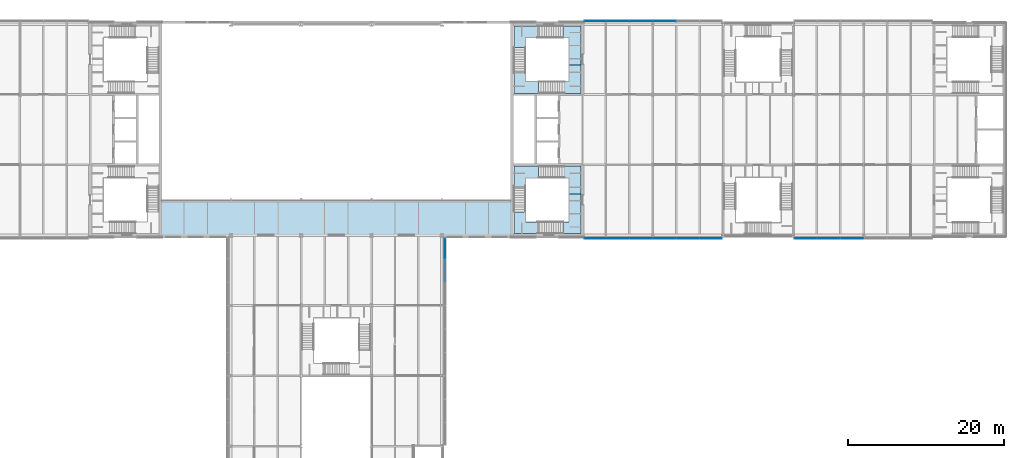
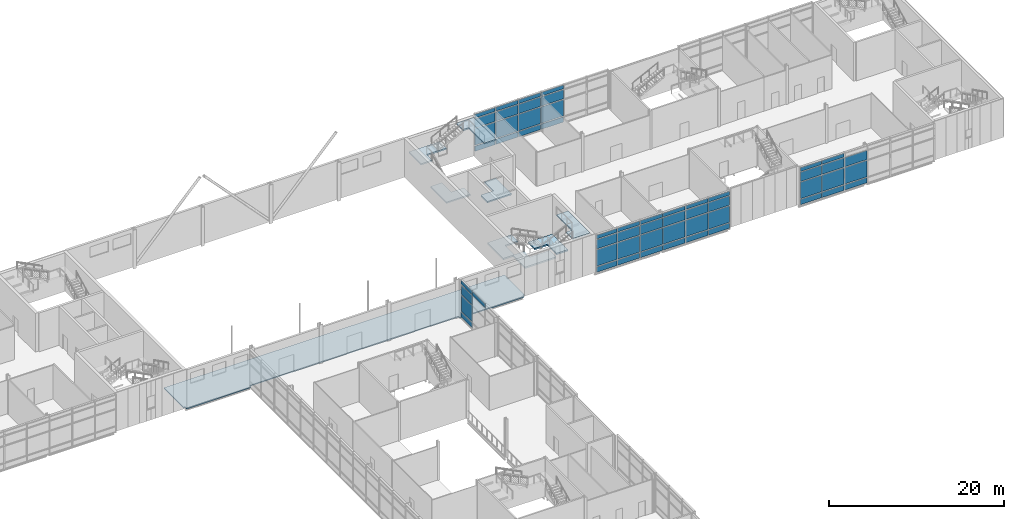
# One storey, part 34 of 56: 56 plates, 9 slabs, 6 elements without a shape of their own.
"""IFC4 building model written with IfcOpenShell, lengths in metres."""

from ifc_helpers import new_model, si_unit, direction, frame, origin, origin_2d, place, context, subcontext, project, spatial, polyline, rectangle, outline, extrude, material, layer, layer_set, type_object, element, aggregate, save


model = new_model("IFC4")

# Units and contexts
model_context = context("Model", 3, precision=1e-05, world=origin(), true_north=direction((0.0, 1.0)))
body_context = subcontext(model_context, "Body", "Model", "MODEL_VIEW")
ifc_project = project(units=[si_unit("LENGTHUNIT", "METRE"), si_unit("AREAUNIT", "SQUARE_METRE"), si_unit("VOLUMEUNIT", "CUBIC_METRE"), si_unit("PLANEANGLEUNIT", "RADIAN"), si_unit("MASSUNIT", "GRAM", prefix="KILO")], contexts=[model_context])

# Site, building, storey
site_placement = place(None, origin())
site = spatial("IfcSite", under=ifc_project, at=site_placement, CompositionType="ELEMENT")
building_placement = place(site_placement, origin())
building = spatial("IfcBuilding", under=site, at=building_placement, Name="Azimuth Sports and Learning Centre", CompositionType="ELEMENT")
storey_placement = place(building_placement, frame((0.0, 0.0, 5.39990234375)))
storey = spatial("IfcBuildingStorey", under=building, at=storey_placement, Name="L01", CompositionType="ELEMENT", Elevation=5.39990234375)

# Stair, slabs
ifc_material_1 = material(Name="Concrete C32/40", Category="concrete")
stair_type = type_object("IfcStairType", Name="Square-well stair core 5400 storey", PredefinedType="THREE_QUARTER_TURN_STAIR", material=ifc_material_1)
stair_1_placement = place(storey_placement, origin())
stair_1 = element("IfcStair", 1, at=stair_1_placement, inside=storey, type_object=stair_type, Name="Stair E1 L01-L02", PredefinedType="THREE_QUARTER_TURN_STAIR")
ifc_material_2 = material(Name="Concrete C32/40", Category="concrete")
ifc_layer_1 = layer(ifc_material_2, 0.199951171875)
ifc_layer_set_1 = layer_set([ifc_layer_1], Name="Concrete C32/40")
slab_type_1 = type_object("IfcSlabType", Name="Concrete stair landing", PredefinedType="LANDING", material=ifc_layer_set_1)
slab_1_placement = place(storey_placement, frame((0.0, 0.0, -0.199951171875)))
slab_1 = element("IfcSlab", 2, at=slab_1_placement, type_object=slab_type_1, Name="Stair E1 L01 landing 1", PredefinedType="LANDING", context=body_context, shape_type="SweptSolid", body=[
    extrude(outline(polyline([(113.590087890625, 97.340087890625), (115.2900390625, 97.340087890625), (115.2900390625, 95.25), (116.7900390625, 95.25), (116.7900390625, 98.840087890625), (113.590087890625, 98.840087890625), (113.590087890625, 97.340087890625)])), origin(), (0.0, 0.0, 1.0), 0.199951171875),
])
slab_2_placement = place(storey_placement, frame((0.0, 0.0, 1.60009765625)))
slab_2 = element("IfcSlab", 3, at=slab_2_placement, type_object=slab_type_1, Name="Stair E1 L01 landing 2", PredefinedType="LANDING", context=body_context, shape_type="SweptSolid", body=[
    extrude(outline(polyline([(109.7099609375, 97.340087890625), (111.390625, 97.340087890625), (111.390625, 98.840087890625), (108.2099609375, 98.840087890625), (108.2099609375, 95.18994140625), (109.7099609375, 95.18994140625), (109.7099609375, 97.340087890625)])), origin(), (0.0, 0.0, 1.0), 0.199951171875),
])
slab_3_placement = place(storey_placement, frame((0.0, 0.0, 3.400146484375)))
slab_3 = element("IfcSlab", 4, at=slab_3_placement, type_object=slab_type_1, Name="Stair E1 L01 landing 3", PredefinedType="LANDING", context=body_context, shape_type="SweptSolid", body=[
    extrude(outline(polyline([(109.7099609375, 91.7099609375), (109.7099609375, 92.99072265625), (108.2099609375, 92.99072265625), (108.2099609375, 90.2099609375), (112.31005859375, 90.2099609375), (112.31005859375, 91.7099609375), (109.7099609375, 91.7099609375)])), origin(), (0.0, 0.0, 1.0), 0.199951171875),
])
slab_4_placement = place(storey_placement, frame((0.0, 0.0, 5.2001953125)))
slab_4 = element("IfcSlab", 5, at=slab_4_placement, type_object=slab_type_1, Name="Stair E1 L01 landing 4", PredefinedType="LANDING", context=body_context, shape_type="SweptSolid", body=[
    extrude(outline(polyline([(115.2900390625, 91.7099609375), (114.50927734375, 91.7099609375), (114.50927734375, 90.2099609375), (116.7900390625, 90.2099609375), (116.7900390625, 95.25), (115.2900390625, 95.25), (115.2900390625, 91.7099609375)])), origin(), (0.0, 0.0, 1.0), 0.199951171875),
])
aggregate(stair_1, [slab_1, slab_2, slab_3, slab_4])

stair_2_placement = place(storey_placement, origin())
stair_2 = element("IfcStair", 6, at=stair_2_placement, inside=storey, type_object=stair_type, Name="Stair E2 L01-L02", PredefinedType="THREE_QUARTER_TURN_STAIR")
slab_5_placement = place(storey_placement, frame((0.0, 0.0, -0.199951171875)))
slab_5 = element("IfcSlab", 7, at=slab_5_placement, type_object=slab_type_1, Name="Stair E2 L01 landing 1", PredefinedType="LANDING", context=body_context, shape_type="SweptSolid", body=[
    extrude(outline(polyline([(116.7900390625, 108.159912109375), (116.7900390625, 111.75), (115.2900390625, 111.75), (115.2900390625, 109.659912109375), (113.590087890625, 109.659912109375), (113.590087890625, 108.159912109375), (116.7900390625, 108.159912109375)])), origin(), (0.0, 0.0, 1.0), 0.199951171875),
])
slab_6_placement = place(storey_placement, frame((0.0, 0.0, 1.60009765625)))
slab_6 = element("IfcSlab", 8, at=slab_6_placement, type_object=slab_type_1, Name="Stair E2 L01 landing 2", PredefinedType="LANDING", context=body_context, shape_type="SweptSolid", body=[
    extrude(outline(polyline([(109.7099609375, 109.659912109375), (109.7099609375, 111.81005859375), (108.2099609375, 111.81005859375), (108.2099609375, 108.159912109375), (111.390625, 108.159912109375), (111.390625, 109.659912109375), (109.7099609375, 109.659912109375)])), origin(), (0.0, 0.0, 1.0), 0.199951171875),
])
slab_7_placement = place(storey_placement, frame((0.0, 0.0, 3.400146484375)))
slab_7 = element("IfcSlab", 9, at=slab_7_placement, type_object=slab_type_1, Name="Stair E2 L01 landing 3", PredefinedType="LANDING", context=body_context, shape_type="SweptSolid", body=[
    extrude(outline(polyline([(109.7099609375, 115.2900390625), (112.31005859375, 115.2900390625), (112.31005859375, 116.7900390625), (108.2099609375, 116.7900390625), (108.2099609375, 114.00927734375), (109.7099609375, 114.00927734375), (109.7099609375, 115.2900390625)])), origin(), (0.0, 0.0, 1.0), 0.199951171875),
])
slab_8_placement = place(storey_placement, frame((0.0, 0.0, 5.2001953125)))
slab_8 = element("IfcSlab", 10, at=slab_8_placement, type_object=slab_type_1, Name="Stair E2 L01 landing 4", PredefinedType="LANDING", context=body_context, shape_type="SweptSolid", body=[
    extrude(outline(polyline([(115.2900390625, 115.2900390625), (115.2900390625, 111.75), (116.7900390625, 111.75), (116.7900390625, 116.7900390625), (114.50927734375, 116.7900390625), (114.50927734375, 115.2900390625), (115.2900390625, 115.2900390625)])), origin(), (0.0, 0.0, 1.0), 0.199951171875),
])
aggregate(stair_2, [slab_5, slab_6, slab_7, slab_8])

# Slab
ifc_material_3 = material(Name="Concrete C30/37", Category="concrete")
ifc_layer_2 = layer(ifc_material_3, 0.14990234375)
ifc_layer_set_2 = layer_set([ifc_layer_2], Name="Concrete C30/37")
slab_type_2 = type_object("IfcSlabType", Name="Gallery floor slab 150", PredefinedType="FLOOR", material=ifc_layer_set_2)
slab_9_placement = place(storey_placement, frame((0.0, 0.0, -0.14990234375)))
element("IfcSlab", 11, at=slab_9_placement, inside=storey, type_object=slab_type_2, Name="Slab GALLERY L01", PredefinedType="FLOOR", context=body_context, shape_type="SweptSolid", body=[
    extrude(outline(polyline([(63.199951171875, 89.699951171875), (71.699951171875, 89.699951171875), (71.699951171875, 90.0), (99.300048828125, 90.0), (99.300048828125, 89.699951171875), (107.800048828125, 89.699951171875), (107.800048828125, 90.0), (108.0, 90.0), (108.0, 94.5), (63.0, 94.5), (63.0, 90.0), (63.199951171875, 90.0), (63.199951171875, 89.699951171875)])), origin(), (0.0, 0.0, 1.0), 0.14990234375),
])

# Curtain wall, plates
ifc_material_4 = material(Name="Aluminium and glass", Category="aluminium")
curtain_wall_type_1 = type_object("IfcCurtainWallType", Name="Curtain wall podium stem 240", PredefinedType="NOTDEFINED", material=ifc_material_4)
curtain_wall_1_placement = place(storey_placement, origin())
curtain_wall_1 = element("IfcCurtainWall", 12, at=curtain_wall_1_placement, inside=storey, type_object=curtain_wall_type_1, Name="Curtain wall CW01-008", PredefinedType="NOTDEFINED")
ifc_material_5 = material(Name="Insulated aluminium panel", Category="aluminium")
ifc_layer_3 = layer(ifc_material_5, 0.06005859375)
ifc_layer_set_3 = layer_set([ifc_layer_3], Name="Insulated aluminium panel")
plate_type_1 = type_object("IfcPlateType", Name="Spandrel panel 60 mm", PredefinedType="CURTAIN_PANEL", material=ifc_layer_set_3)
plate_1_placement = place(storey_placement, frame((99.419921875, 85.5, 4.760009765625), z_axis=(0.0, 0.0, 1.0), x_axis=(0.0, 1.0, 0.0)))
plate_1 = element("IfcPlate", 13, at=plate_1_placement, type_object=plate_type_1, Name="CW01-008 panel 8.4", PredefinedType="CURTAIN_PANEL", context=body_context, shape_type="SweptSolid", body=[
    extrude(rectangle(XDim=2.919921875, YDim=0.06005859375, at=origin_2d()), origin(), (0.0, 0.0, 1.0), 0.52001953125),
])
plate_2_placement = place(storey_placement, frame((99.419921875, 88.284912109375, 0.1201171875), z_axis=(0.0, 0.0, 1.0), x_axis=(0.0, 1.0, 0.0)))
plate_2 = element("IfcPlate", 14, at=plate_2_placement, type_object=plate_type_1, Name="CW01-008 panel 9.1", PredefinedType="CURTAIN_PANEL", context=body_context, shape_type="SweptSolid", body=[
    extrude(rectangle(XDim=2.489990234375, YDim=0.06005859375, at=origin_2d()), origin(), (0.0, 0.0, 1.0), 0.719970703125),
])
plate_3_placement = place(storey_placement, frame((99.419921875, 88.284912109375, 4.760009765625), z_axis=(0.0, 0.0, 1.0), x_axis=(0.0, 1.0, 0.0)))
plate_3 = element("IfcPlate", 15, at=plate_3_placement, type_object=plate_type_1, Name="CW01-008 panel 9.4", PredefinedType="CURTAIN_PANEL", context=body_context, shape_type="SweptSolid", body=[
    extrude(rectangle(XDim=2.489990234375, YDim=0.06005859375, at=origin_2d()), origin(), (0.0, 0.0, 1.0), 0.52001953125),
])

ifc_material_6 = material(Name="Aluminium and glass", Category="aluminium")
curtain_wall_type_2 = type_object("IfcCurtainWallType", Name="Curtain wall podium wing 240", PredefinedType="NOTDEFINED", material=ifc_material_6)
curtain_wall_2_placement = place(storey_placement, origin())
curtain_wall_2 = element("IfcCurtainWall", 16, at=curtain_wall_2_placement, inside=storey, type_object=curtain_wall_type_2, Name="Curtain wall CW01-009", PredefinedType="NOTDEFINED")
plate_4_placement = place(storey_placement, frame((118.6201171875, 89.580078125, 0.1201171875), z_axis=(0.0, 0.0, 1.0), x_axis=(1.0, 0.0, 0.0)))
plate_4 = element("IfcPlate", 17, at=plate_4_placement, type_object=plate_type_1, Name="CW01-009 panel 1.1", PredefinedType="CURTAIN_PANEL", context=body_context, shape_type="SweptSolid", body=[
    extrude(rectangle(XDim=2.679931640625, YDim=0.06005859375, at=origin_2d()), origin(), (0.0, 0.0, 1.0), 0.719970703125),
])
plate_5_placement = place(storey_placement, frame((118.6201171875, 89.580078125, 4.760009765625), z_axis=(0.0, 0.0, 1.0), x_axis=(1.0, 0.0, 0.0)))
plate_5 = element("IfcPlate", 18, at=plate_5_placement, type_object=plate_type_1, Name="CW01-009 panel 1.4", PredefinedType="CURTAIN_PANEL", context=body_context, shape_type="SweptSolid", body=[
    extrude(rectangle(XDim=2.679931640625, YDim=0.06005859375, at=origin_2d()), origin(), (0.0, 0.0, 1.0), 0.52001953125),
])
plate_6_placement = place(storey_placement, frame((121.5, 89.580078125, 0.1201171875), z_axis=(0.0, 0.0, 1.0), x_axis=(1.0, 0.0, 0.0)))
plate_6 = element("IfcPlate", 19, at=plate_6_placement, type_object=plate_type_1, Name="CW01-009 panel 2.1", PredefinedType="CURTAIN_PANEL", context=body_context, shape_type="SweptSolid", body=[
    extrude(rectangle(XDim=2.919921875, YDim=0.06005859375, at=origin_2d()), origin(), (0.0, 0.0, 1.0), 0.719970703125),
])
plate_7_placement = place(storey_placement, frame((121.5, 89.580078125, 4.760009765625), z_axis=(0.0, 0.0, 1.0), x_axis=(1.0, 0.0, 0.0)))
plate_7 = element("IfcPlate", 20, at=plate_7_placement, type_object=plate_type_1, Name="CW01-009 panel 2.4", PredefinedType="CURTAIN_PANEL", context=body_context, shape_type="SweptSolid", body=[
    extrude(rectangle(XDim=2.919921875, YDim=0.06005859375, at=origin_2d()), origin(), (0.0, 0.0, 1.0), 0.52001953125),
])
plate_8_placement = place(storey_placement, frame((124.5, 89.580078125, 0.1201171875), z_axis=(0.0, 0.0, 1.0), x_axis=(1.0, 0.0, 0.0)))
plate_8 = element("IfcPlate", 21, at=plate_8_placement, type_object=plate_type_1, Name="CW01-009 panel 3.1", PredefinedType="CURTAIN_PANEL", context=body_context, shape_type="SweptSolid", body=[
    extrude(rectangle(XDim=2.919921875, YDim=0.06005859375, at=origin_2d()), origin(), (0.0, 0.0, 1.0), 0.719970703125),
])
plate_9_placement = place(storey_placement, frame((124.5, 89.580078125, 4.760009765625), z_axis=(0.0, 0.0, 1.0), x_axis=(1.0, 0.0, 0.0)))
plate_9 = element("IfcPlate", 22, at=plate_9_placement, type_object=plate_type_1, Name="CW01-009 panel 3.4", PredefinedType="CURTAIN_PANEL", context=body_context, shape_type="SweptSolid", body=[
    extrude(rectangle(XDim=2.919921875, YDim=0.06005859375, at=origin_2d()), origin(), (0.0, 0.0, 1.0), 0.52001953125),
])
plate_10_placement = place(storey_placement, frame((127.5, 89.580078125, 0.1201171875), z_axis=(0.0, 0.0, 1.0), x_axis=(1.0, 0.0, 0.0)))
plate_10 = element("IfcPlate", 23, at=plate_10_placement, type_object=plate_type_1, Name="CW01-009 panel 4.1", PredefinedType="CURTAIN_PANEL", context=body_context, shape_type="SweptSolid", body=[
    extrude(rectangle(XDim=2.919921875, YDim=0.06005859375, at=origin_2d()), origin(), (0.0, 0.0, 1.0), 0.719970703125),
])
plate_11_placement = place(storey_placement, frame((127.5, 89.580078125, 4.760009765625), z_axis=(0.0, 0.0, 1.0), x_axis=(1.0, 0.0, 0.0)))
plate_11 = element("IfcPlate", 24, at=plate_11_placement, type_object=plate_type_1, Name="CW01-009 panel 4.4", PredefinedType="CURTAIN_PANEL", context=body_context, shape_type="SweptSolid", body=[
    extrude(rectangle(XDim=2.919921875, YDim=0.06005859375, at=origin_2d()), origin(), (0.0, 0.0, 1.0), 0.52001953125),
])
plate_12_placement = place(storey_placement, frame((130.5, 89.580078125, 0.1201171875), z_axis=(0.0, 0.0, 1.0), x_axis=(1.0, 0.0, 0.0)))
plate_12 = element("IfcPlate", 25, at=plate_12_placement, type_object=plate_type_1, Name="CW01-009 panel 5.1", PredefinedType="CURTAIN_PANEL", context=body_context, shape_type="SweptSolid", body=[
    extrude(rectangle(XDim=2.919921875, YDim=0.06005859375, at=origin_2d()), origin(), (0.0, 0.0, 1.0), 0.719970703125),
])
plate_13_placement = place(storey_placement, frame((130.5, 89.580078125, 4.760009765625), z_axis=(0.0, 0.0, 1.0), x_axis=(1.0, 0.0, 0.0)))
plate_13 = element("IfcPlate", 26, at=plate_13_placement, type_object=plate_type_1, Name="CW01-009 panel 5.4", PredefinedType="CURTAIN_PANEL", context=body_context, shape_type="SweptSolid", body=[
    extrude(rectangle(XDim=2.919921875, YDim=0.06005859375, at=origin_2d()), origin(), (0.0, 0.0, 1.0), 0.52001953125),
])
plate_14_placement = place(storey_placement, frame((133.429931640625, 89.580078125, 0.1201171875), z_axis=(0.0, 0.0, 1.0), x_axis=(1.0, 0.0, 0.0)))
plate_14 = element("IfcPlate", 27, at=plate_14_placement, type_object=plate_type_1, Name="CW01-009 panel 6.1", PredefinedType="CURTAIN_PANEL", context=body_context, shape_type="SweptSolid", body=[
    extrude(rectangle(XDim=2.780029296875, YDim=0.06005859375, at=origin_2d()), origin(), (0.0, 0.0, 1.0), 0.719970703125),
])
plate_15_placement = place(storey_placement, frame((133.429931640625, 89.580078125, 4.760009765625), z_axis=(0.0, 0.0, 1.0), x_axis=(1.0, 0.0, 0.0)))
plate_15 = element("IfcPlate", 28, at=plate_15_placement, type_object=plate_type_1, Name="CW01-009 panel 6.4", PredefinedType="CURTAIN_PANEL", context=body_context, shape_type="SweptSolid", body=[
    extrude(rectangle(XDim=2.780029296875, YDim=0.06005859375, at=origin_2d()), origin(), (0.0, 0.0, 1.0), 0.52001953125),
])

curtain_wall_3_placement = place(storey_placement, origin())
curtain_wall_3 = element("IfcCurtainWall", 29, at=curtain_wall_3_placement, inside=storey, type_object=curtain_wall_type_2, Name="Curtain wall CW01-010", PredefinedType="NOTDEFINED")
plate_16_placement = place(storey_placement, frame((145.570068359375, 89.580078125, 0.1201171875), z_axis=(0.0, 0.0, 1.0), x_axis=(1.0, 0.0, 0.0)))
plate_16 = element("IfcPlate", 30, at=plate_16_placement, type_object=plate_type_1, Name="CW01-010 panel 1.1", PredefinedType="CURTAIN_PANEL", context=body_context, shape_type="SweptSolid", body=[
    extrude(rectangle(XDim=2.780029296875, YDim=0.06005859375, at=origin_2d()), origin(), (0.0, 0.0, 1.0), 0.719970703125),
])
plate_17_placement = place(storey_placement, frame((145.570068359375, 89.580078125, 4.760009765625), z_axis=(0.0, 0.0, 1.0), x_axis=(1.0, 0.0, 0.0)))
plate_17 = element("IfcPlate", 31, at=plate_17_placement, type_object=plate_type_1, Name="CW01-010 panel 1.4", PredefinedType="CURTAIN_PANEL", context=body_context, shape_type="SweptSolid", body=[
    extrude(rectangle(XDim=2.780029296875, YDim=0.06005859375, at=origin_2d()), origin(), (0.0, 0.0, 1.0), 0.52001953125),
])
plate_18_placement = place(storey_placement, frame((148.5, 89.580078125, 0.1201171875), z_axis=(0.0, 0.0, 1.0), x_axis=(1.0, 0.0, 0.0)))
plate_18 = element("IfcPlate", 32, at=plate_18_placement, type_object=plate_type_1, Name="CW01-010 panel 2.1", PredefinedType="CURTAIN_PANEL", context=body_context, shape_type="SweptSolid", body=[
    extrude(rectangle(XDim=2.919921875, YDim=0.06005859375, at=origin_2d()), origin(), (0.0, 0.0, 1.0), 0.719970703125),
])
plate_19_placement = place(storey_placement, frame((148.5, 89.580078125, 4.760009765625), z_axis=(0.0, 0.0, 1.0), x_axis=(1.0, 0.0, 0.0)))
plate_19 = element("IfcPlate", 33, at=plate_19_placement, type_object=plate_type_1, Name="CW01-010 panel 2.4", PredefinedType="CURTAIN_PANEL", context=body_context, shape_type="SweptSolid", body=[
    extrude(rectangle(XDim=2.919921875, YDim=0.06005859375, at=origin_2d()), origin(), (0.0, 0.0, 1.0), 0.52001953125),
])
plate_20_placement = place(storey_placement, frame((151.5, 89.580078125, 0.1201171875), z_axis=(0.0, 0.0, 1.0), x_axis=(1.0, 0.0, 0.0)))
plate_20 = element("IfcPlate", 34, at=plate_20_placement, type_object=plate_type_1, Name="CW01-010 panel 3.1", PredefinedType="CURTAIN_PANEL", context=body_context, shape_type="SweptSolid", body=[
    extrude(rectangle(XDim=2.919921875, YDim=0.06005859375, at=origin_2d()), origin(), (0.0, 0.0, 1.0), 0.719970703125),
])

curtain_wall_4_placement = place(storey_placement, origin())
curtain_wall_4 = element("IfcCurtainWall", 35, at=curtain_wall_4_placement, inside=storey, type_object=curtain_wall_type_2, Name="Curtain wall CW01-012", PredefinedType="NOTDEFINED")
plate_21_placement = place(storey_placement, frame((127.5, 117.419921875, 0.1201171875), z_axis=(0.0, 0.0, 1.0), x_axis=(-1.0, 0.0, 0.0)))
plate_21 = element("IfcPlate", 36, at=plate_21_placement, type_object=plate_type_1, Name="CW01-012 panel 3.1", PredefinedType="CURTAIN_PANEL", context=body_context, shape_type="SweptSolid", body=[
    extrude(rectangle(XDim=2.919921875, YDim=0.06005859375, at=origin_2d()), origin(), (0.0, 0.0, 1.0), 0.719970703125),
])
plate_22_placement = place(storey_placement, frame((127.5, 117.419921875, 4.760009765625), z_axis=(0.0, 0.0, 1.0), x_axis=(-1.0, 0.0, 0.0)))
plate_22 = element("IfcPlate", 37, at=plate_22_placement, type_object=plate_type_1, Name="CW01-012 panel 3.4", PredefinedType="CURTAIN_PANEL", context=body_context, shape_type="SweptSolid", body=[
    extrude(rectangle(XDim=2.919921875, YDim=0.06005859375, at=origin_2d()), origin(), (0.0, 0.0, 1.0), 0.52001953125),
])
plate_23_placement = place(storey_placement, frame((124.5, 117.419921875, 0.1201171875), z_axis=(0.0, 0.0, 1.0), x_axis=(-1.0, 0.0, 0.0)))
plate_23 = element("IfcPlate", 38, at=plate_23_placement, type_object=plate_type_1, Name="CW01-012 panel 4.1", PredefinedType="CURTAIN_PANEL", context=body_context, shape_type="SweptSolid", body=[
    extrude(rectangle(XDim=2.919921875, YDim=0.06005859375, at=origin_2d()), origin(), (0.0, 0.0, 1.0), 0.719970703125),
])
plate_24_placement = place(storey_placement, frame((124.5, 117.419921875, 4.760009765625), z_axis=(0.0, 0.0, 1.0), x_axis=(-1.0, 0.0, 0.0)))
plate_24 = element("IfcPlate", 39, at=plate_24_placement, type_object=plate_type_1, Name="CW01-012 panel 4.4", PredefinedType="CURTAIN_PANEL", context=body_context, shape_type="SweptSolid", body=[
    extrude(rectangle(XDim=2.919921875, YDim=0.06005859375, at=origin_2d()), origin(), (0.0, 0.0, 1.0), 0.52001953125),
])
plate_25_placement = place(storey_placement, frame((121.5, 117.419921875, 0.1201171875), z_axis=(0.0, 0.0, 1.0), x_axis=(-1.0, 0.0, 0.0)))
plate_25 = element("IfcPlate", 40, at=plate_25_placement, type_object=plate_type_1, Name="CW01-012 panel 5.1", PredefinedType="CURTAIN_PANEL", context=body_context, shape_type="SweptSolid", body=[
    extrude(rectangle(XDim=2.919921875, YDim=0.06005859375, at=origin_2d()), origin(), (0.0, 0.0, 1.0), 0.719970703125),
])
plate_26_placement = place(storey_placement, frame((121.5, 117.419921875, 4.760009765625), z_axis=(0.0, 0.0, 1.0), x_axis=(-1.0, 0.0, 0.0)))
plate_26 = element("IfcPlate", 41, at=plate_26_placement, type_object=plate_type_1, Name="CW01-012 panel 5.4", PredefinedType="CURTAIN_PANEL", context=body_context, shape_type="SweptSolid", body=[
    extrude(rectangle(XDim=2.919921875, YDim=0.06005859375, at=origin_2d()), origin(), (0.0, 0.0, 1.0), 0.52001953125),
])
plate_27_placement = place(storey_placement, frame((118.6201171875, 117.419921875, 0.1201171875), z_axis=(0.0, 0.0, 1.0), x_axis=(-1.0, 0.0, 0.0)))
plate_27 = element("IfcPlate", 42, at=plate_27_placement, type_object=plate_type_1, Name="CW01-012 panel 6.1", PredefinedType="CURTAIN_PANEL", context=body_context, shape_type="SweptSolid", body=[
    extrude(rectangle(XDim=2.679931640625, YDim=0.06005859375, at=origin_2d()), origin(), (0.0, 0.0, 1.0), 0.719970703125),
])
plate_28_placement = place(storey_placement, frame((118.6201171875, 117.419921875, 4.760009765625), z_axis=(0.0, 0.0, 1.0), x_axis=(-1.0, 0.0, 0.0)))
plate_28 = element("IfcPlate", 43, at=plate_28_placement, type_object=plate_type_1, Name="CW01-012 panel 6.4", PredefinedType="CURTAIN_PANEL", context=body_context, shape_type="SweptSolid", body=[
    extrude(rectangle(XDim=2.679931640625, YDim=0.06005859375, at=origin_2d()), origin(), (0.0, 0.0, 1.0), 0.52001953125),
])

# Plate
ifc_material_7 = material(Name="Glass", Category="glass")
ifc_layer_4 = layer(ifc_material_7, 0.0439453125)
ifc_layer_set_4 = layer_set([ifc_layer_4], Name="Glass")
plate_type_2 = type_object("IfcPlateType", Name="Vision glass 44 mm", PredefinedType="CURTAIN_PANEL", material=ifc_layer_set_4)
plate_29_placement = place(storey_placement, frame((99.419921875, 88.284912109375, 0.9599609375), z_axis=(0.0, 0.0, 1.0), x_axis=(0.0, 1.0, 0.0)))
plate_29 = element("IfcPlate", 44, at=plate_29_placement, type_object=plate_type_2, Name="CW01-008 panel 9.2", PredefinedType="CURTAIN_PANEL", context=body_context, shape_type="SweptSolid", body=[
    extrude(rectangle(XDim=2.489990234375, YDim=0.0439453125, at=origin_2d()), origin(), (0.0, 0.0, 1.0), 2.280029296875),
])

plate_30_placement = place(storey_placement, frame((99.419921875, 88.284912109375, 3.35986328125), z_axis=(0.0, 0.0, 1.0), x_axis=(0.0, 1.0, 0.0)))
plate_30 = element("IfcPlate", 45, at=plate_30_placement, type_object=plate_type_2, Name="CW01-008 panel 9.3", PredefinedType="CURTAIN_PANEL", context=body_context, shape_type="SweptSolid", body=[
    extrude(rectangle(XDim=2.489990234375, YDim=0.0439453125, at=origin_2d()), origin(), (0.0, 0.0, 1.0), 1.280029296875),
])

aggregate(curtain_wall_1, [plate_1, plate_2, plate_29, plate_30, plate_3])

plate_31_placement = place(storey_placement, frame((118.6201171875, 89.580078125, 0.9599609375), z_axis=(0.0, 0.0, 1.0), x_axis=(1.0, 0.0, 0.0)))
plate_31 = element("IfcPlate", 46, at=plate_31_placement, type_object=plate_type_2, Name="CW01-009 panel 1.2", PredefinedType="CURTAIN_PANEL", context=body_context, shape_type="SweptSolid", body=[
    extrude(rectangle(XDim=2.679931640625, YDim=0.0439453125, at=origin_2d()), origin(), (0.0, 0.0, 1.0), 2.280029296875),
])

plate_32_placement = place(storey_placement, frame((118.6201171875, 89.580078125, 3.35986328125), z_axis=(0.0, 0.0, 1.0), x_axis=(1.0, 0.0, 0.0)))
plate_32 = element("IfcPlate", 47, at=plate_32_placement, type_object=plate_type_2, Name="CW01-009 panel 1.3", PredefinedType="CURTAIN_PANEL", context=body_context, shape_type="SweptSolid", body=[
    extrude(rectangle(XDim=2.679931640625, YDim=0.0439453125, at=origin_2d()), origin(), (0.0, 0.0, 1.0), 1.280029296875),
])

plate_33_placement = place(storey_placement, frame((121.5, 89.580078125, 0.9599609375), z_axis=(0.0, 0.0, 1.0), x_axis=(1.0, 0.0, 0.0)))
plate_33 = element("IfcPlate", 48, at=plate_33_placement, type_object=plate_type_2, Name="CW01-009 panel 2.2", PredefinedType="CURTAIN_PANEL", context=body_context, shape_type="SweptSolid", body=[
    extrude(rectangle(XDim=2.919921875, YDim=0.0439453125, at=origin_2d()), origin(), (0.0, 0.0, 1.0), 2.280029296875),
])

plate_34_placement = place(storey_placement, frame((121.5, 89.580078125, 3.35986328125), z_axis=(0.0, 0.0, 1.0), x_axis=(1.0, 0.0, 0.0)))
plate_34 = element("IfcPlate", 49, at=plate_34_placement, type_object=plate_type_2, Name="CW01-009 panel 2.3", PredefinedType="CURTAIN_PANEL", context=body_context, shape_type="SweptSolid", body=[
    extrude(rectangle(XDim=2.919921875, YDim=0.0439453125, at=origin_2d()), origin(), (0.0, 0.0, 1.0), 1.280029296875),
])

plate_35_placement = place(storey_placement, frame((124.5, 89.580078125, 0.9599609375), z_axis=(0.0, 0.0, 1.0), x_axis=(1.0, 0.0, 0.0)))
plate_35 = element("IfcPlate", 50, at=plate_35_placement, type_object=plate_type_2, Name="CW01-009 panel 3.2", PredefinedType="CURTAIN_PANEL", context=body_context, shape_type="SweptSolid", body=[
    extrude(rectangle(XDim=2.919921875, YDim=0.0439453125, at=origin_2d()), origin(), (0.0, 0.0, 1.0), 2.280029296875),
])

plate_36_placement = place(storey_placement, frame((124.5, 89.580078125, 3.35986328125), z_axis=(0.0, 0.0, 1.0), x_axis=(1.0, 0.0, 0.0)))
plate_36 = element("IfcPlate", 51, at=plate_36_placement, type_object=plate_type_2, Name="CW01-009 panel 3.3", PredefinedType="CURTAIN_PANEL", context=body_context, shape_type="SweptSolid", body=[
    extrude(rectangle(XDim=2.919921875, YDim=0.0439453125, at=origin_2d()), origin(), (0.0, 0.0, 1.0), 1.280029296875),
])

plate_37_placement = place(storey_placement, frame((127.5, 89.580078125, 0.9599609375), z_axis=(0.0, 0.0, 1.0), x_axis=(1.0, 0.0, 0.0)))
plate_37 = element("IfcPlate", 52, at=plate_37_placement, type_object=plate_type_2, Name="CW01-009 panel 4.2", PredefinedType="CURTAIN_PANEL", context=body_context, shape_type="SweptSolid", body=[
    extrude(rectangle(XDim=2.919921875, YDim=0.0439453125, at=origin_2d()), origin(), (0.0, 0.0, 1.0), 2.280029296875),
])

plate_38_placement = place(storey_placement, frame((127.5, 89.580078125, 3.35986328125), z_axis=(0.0, 0.0, 1.0), x_axis=(1.0, 0.0, 0.0)))
plate_38 = element("IfcPlate", 53, at=plate_38_placement, type_object=plate_type_2, Name="CW01-009 panel 4.3", PredefinedType="CURTAIN_PANEL", context=body_context, shape_type="SweptSolid", body=[
    extrude(rectangle(XDim=2.919921875, YDim=0.0439453125, at=origin_2d()), origin(), (0.0, 0.0, 1.0), 1.280029296875),
])

plate_39_placement = place(storey_placement, frame((130.5, 89.580078125, 0.9599609375), z_axis=(0.0, 0.0, 1.0), x_axis=(1.0, 0.0, 0.0)))
plate_39 = element("IfcPlate", 54, at=plate_39_placement, type_object=plate_type_2, Name="CW01-009 panel 5.2", PredefinedType="CURTAIN_PANEL", context=body_context, shape_type="SweptSolid", body=[
    extrude(rectangle(XDim=2.919921875, YDim=0.0439453125, at=origin_2d()), origin(), (0.0, 0.0, 1.0), 2.280029296875),
])

plate_40_placement = place(storey_placement, frame((130.5, 89.580078125, 3.35986328125), z_axis=(0.0, 0.0, 1.0), x_axis=(1.0, 0.0, 0.0)))
plate_40 = element("IfcPlate", 55, at=plate_40_placement, type_object=plate_type_2, Name="CW01-009 panel 5.3", PredefinedType="CURTAIN_PANEL", context=body_context, shape_type="SweptSolid", body=[
    extrude(rectangle(XDim=2.919921875, YDim=0.0439453125, at=origin_2d()), origin(), (0.0, 0.0, 1.0), 1.280029296875),
])

plate_41_placement = place(storey_placement, frame((133.429931640625, 89.580078125, 0.9599609375), z_axis=(0.0, 0.0, 1.0), x_axis=(1.0, 0.0, 0.0)))
plate_41 = element("IfcPlate", 56, at=plate_41_placement, type_object=plate_type_2, Name="CW01-009 panel 6.2", PredefinedType="CURTAIN_PANEL", context=body_context, shape_type="SweptSolid", body=[
    extrude(rectangle(XDim=2.780029296875, YDim=0.0439453125, at=origin_2d()), origin(), (0.0, 0.0, 1.0), 2.280029296875),
])

plate_42_placement = place(storey_placement, frame((133.429931640625, 89.580078125, 3.35986328125), z_axis=(0.0, 0.0, 1.0), x_axis=(1.0, 0.0, 0.0)))
plate_42 = element("IfcPlate", 57, at=plate_42_placement, type_object=plate_type_2, Name="CW01-009 panel 6.3", PredefinedType="CURTAIN_PANEL", context=body_context, shape_type="SweptSolid", body=[
    extrude(rectangle(XDim=2.780029296875, YDim=0.0439453125, at=origin_2d()), origin(), (0.0, 0.0, 1.0), 1.280029296875),
])

aggregate(curtain_wall_2, [plate_4, plate_31, plate_32, plate_5, plate_6, plate_33, plate_34, plate_7, plate_8, plate_35, plate_36, plate_9, plate_10, plate_37, plate_38, plate_11, plate_12, plate_39, plate_40, plate_13, plate_14, plate_41, plate_42, plate_15])

plate_43_placement = place(storey_placement, frame((145.570068359375, 89.580078125, 0.9599609375), z_axis=(0.0, 0.0, 1.0), x_axis=(1.0, 0.0, 0.0)))
plate_43 = element("IfcPlate", 58, at=plate_43_placement, type_object=plate_type_2, Name="CW01-010 panel 1.2", PredefinedType="CURTAIN_PANEL", context=body_context, shape_type="SweptSolid", body=[
    extrude(rectangle(XDim=2.780029296875, YDim=0.0439453125, at=origin_2d()), origin(), (0.0, 0.0, 1.0), 2.280029296875),
])

plate_44_placement = place(storey_placement, frame((145.570068359375, 89.580078125, 3.35986328125), z_axis=(0.0, 0.0, 1.0), x_axis=(1.0, 0.0, 0.0)))
plate_44 = element("IfcPlate", 59, at=plate_44_placement, type_object=plate_type_2, Name="CW01-010 panel 1.3", PredefinedType="CURTAIN_PANEL", context=body_context, shape_type="SweptSolid", body=[
    extrude(rectangle(XDim=2.780029296875, YDim=0.0439453125, at=origin_2d()), origin(), (0.0, 0.0, 1.0), 1.280029296875),
])

plate_45_placement = place(storey_placement, frame((148.5, 89.580078125, 0.9599609375), z_axis=(0.0, 0.0, 1.0), x_axis=(1.0, 0.0, 0.0)))
plate_45 = element("IfcPlate", 60, at=plate_45_placement, type_object=plate_type_2, Name="CW01-010 panel 2.2", PredefinedType="CURTAIN_PANEL", context=body_context, shape_type="SweptSolid", body=[
    extrude(rectangle(XDim=2.919921875, YDim=0.0439453125, at=origin_2d()), origin(), (0.0, 0.0, 1.0), 2.280029296875),
])

plate_46_placement = place(storey_placement, frame((148.5, 89.580078125, 3.35986328125), z_axis=(0.0, 0.0, 1.0), x_axis=(1.0, 0.0, 0.0)))
plate_46 = element("IfcPlate", 61, at=plate_46_placement, type_object=plate_type_2, Name="CW01-010 panel 2.3", PredefinedType="CURTAIN_PANEL", context=body_context, shape_type="SweptSolid", body=[
    extrude(rectangle(XDim=2.919921875, YDim=0.0439453125, at=origin_2d()), origin(), (0.0, 0.0, 1.0), 1.280029296875),
])

plate_47_placement = place(storey_placement, frame((151.5, 89.580078125, 0.9599609375), z_axis=(0.0, 0.0, 1.0), x_axis=(1.0, 0.0, 0.0)))
plate_47 = element("IfcPlate", 62, at=plate_47_placement, type_object=plate_type_2, Name="CW01-010 panel 3.2", PredefinedType="CURTAIN_PANEL", context=body_context, shape_type="SweptSolid", body=[
    extrude(rectangle(XDim=2.919921875, YDim=0.0439453125, at=origin_2d()), origin(), (0.0, 0.0, 1.0), 2.280029296875),
])

plate_48_placement = place(storey_placement, frame((151.5, 89.580078125, 3.35986328125), z_axis=(0.0, 0.0, 1.0), x_axis=(1.0, 0.0, 0.0)))
plate_48 = element("IfcPlate", 63, at=plate_48_placement, type_object=plate_type_2, Name="CW01-010 panel 3.3", PredefinedType="CURTAIN_PANEL", context=body_context, shape_type="SweptSolid", body=[
    extrude(rectangle(XDim=2.919921875, YDim=0.0439453125, at=origin_2d()), origin(), (0.0, 0.0, 1.0), 1.280029296875),
])

aggregate(curtain_wall_3, [plate_16, plate_43, plate_44, plate_17, plate_18, plate_45, plate_46, plate_19, plate_20, plate_47, plate_48])

plate_49_placement = place(storey_placement, frame((127.5, 117.419921875, 0.9599609375), z_axis=(0.0, 0.0, 1.0), x_axis=(-1.0, 0.0, 0.0)))
plate_49 = element("IfcPlate", 64, at=plate_49_placement, type_object=plate_type_2, Name="CW01-012 panel 3.2", PredefinedType="CURTAIN_PANEL", context=body_context, shape_type="SweptSolid", body=[
    extrude(rectangle(XDim=2.919921875, YDim=0.0439453125, at=origin_2d()), origin(), (0.0, 0.0, 1.0), 2.280029296875),
])

plate_50_placement = place(storey_placement, frame((127.5, 117.419921875, 3.35986328125), z_axis=(0.0, 0.0, 1.0), x_axis=(-1.0, 0.0, 0.0)))
plate_50 = element("IfcPlate", 65, at=plate_50_placement, type_object=plate_type_2, Name="CW01-012 panel 3.3", PredefinedType="CURTAIN_PANEL", context=body_context, shape_type="SweptSolid", body=[
    extrude(rectangle(XDim=2.919921875, YDim=0.0439453125, at=origin_2d()), origin(), (0.0, 0.0, 1.0), 1.280029296875),
])

plate_51_placement = place(storey_placement, frame((124.5, 117.419921875, 0.9599609375), z_axis=(0.0, 0.0, 1.0), x_axis=(-1.0, 0.0, 0.0)))
plate_51 = element("IfcPlate", 66, at=plate_51_placement, type_object=plate_type_2, Name="CW01-012 panel 4.2", PredefinedType="CURTAIN_PANEL", context=body_context, shape_type="SweptSolid", body=[
    extrude(rectangle(XDim=2.919921875, YDim=0.0439453125, at=origin_2d()), origin(), (0.0, 0.0, 1.0), 2.280029296875),
])

plate_52_placement = place(storey_placement, frame((124.5, 117.419921875, 3.35986328125), z_axis=(0.0, 0.0, 1.0), x_axis=(-1.0, 0.0, 0.0)))
plate_52 = element("IfcPlate", 67, at=plate_52_placement, type_object=plate_type_2, Name="CW01-012 panel 4.3", PredefinedType="CURTAIN_PANEL", context=body_context, shape_type="SweptSolid", body=[
    extrude(rectangle(XDim=2.919921875, YDim=0.0439453125, at=origin_2d()), origin(), (0.0, 0.0, 1.0), 1.280029296875),
])

plate_53_placement = place(storey_placement, frame((121.5, 117.419921875, 0.9599609375), z_axis=(0.0, 0.0, 1.0), x_axis=(-1.0, 0.0, 0.0)))
plate_53 = element("IfcPlate", 68, at=plate_53_placement, type_object=plate_type_2, Name="CW01-012 panel 5.2", PredefinedType="CURTAIN_PANEL", context=body_context, shape_type="SweptSolid", body=[
    extrude(rectangle(XDim=2.919921875, YDim=0.0439453125, at=origin_2d()), origin(), (0.0, 0.0, 1.0), 2.280029296875),
])

plate_54_placement = place(storey_placement, frame((121.5, 117.419921875, 3.35986328125), z_axis=(0.0, 0.0, 1.0), x_axis=(-1.0, 0.0, 0.0)))
plate_54 = element("IfcPlate", 69, at=plate_54_placement, type_object=plate_type_2, Name="CW01-012 panel 5.3", PredefinedType="CURTAIN_PANEL", context=body_context, shape_type="SweptSolid", body=[
    extrude(rectangle(XDim=2.919921875, YDim=0.0439453125, at=origin_2d()), origin(), (0.0, 0.0, 1.0), 1.280029296875),
])

plate_55_placement = place(storey_placement, frame((118.6201171875, 117.419921875, 0.9599609375), z_axis=(0.0, 0.0, 1.0), x_axis=(-1.0, 0.0, 0.0)))
plate_55 = element("IfcPlate", 70, at=plate_55_placement, type_object=plate_type_2, Name="CW01-012 panel 6.2", PredefinedType="CURTAIN_PANEL", context=body_context, shape_type="SweptSolid", body=[
    extrude(rectangle(XDim=2.679931640625, YDim=0.0439453125, at=origin_2d()), origin(), (0.0, 0.0, 1.0), 2.280029296875),
])

plate_56_placement = place(storey_placement, frame((118.6201171875, 117.419921875, 3.35986328125), z_axis=(0.0, 0.0, 1.0), x_axis=(-1.0, 0.0, 0.0)))
plate_56 = element("IfcPlate", 71, at=plate_56_placement, type_object=plate_type_2, Name="CW01-012 panel 6.3", PredefinedType="CURTAIN_PANEL", context=body_context, shape_type="SweptSolid", body=[
    extrude(rectangle(XDim=2.679931640625, YDim=0.0439453125, at=origin_2d()), origin(), (0.0, 0.0, 1.0), 1.280029296875),
])

aggregate(curtain_wall_4, [plate_21, plate_49, plate_50, plate_22, plate_23, plate_51, plate_52, plate_24, plate_25, plate_53, plate_54, plate_26, plate_27, plate_55, plate_56, plate_28])

save(model, "model.ifc")
